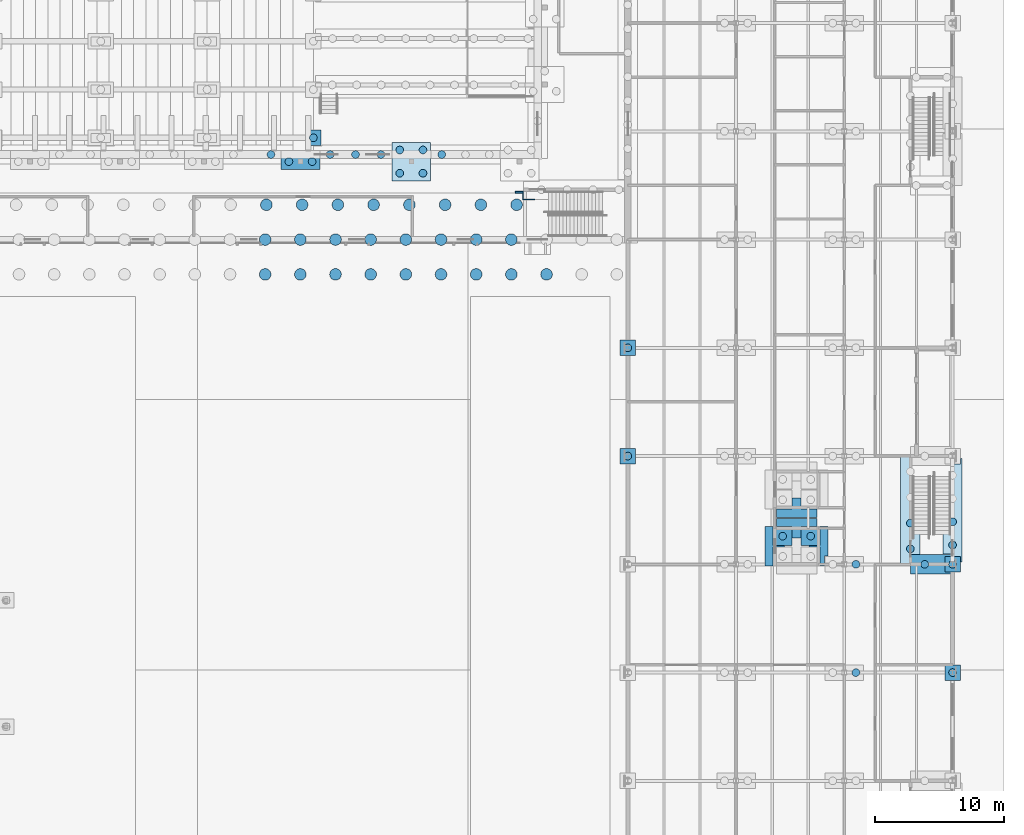
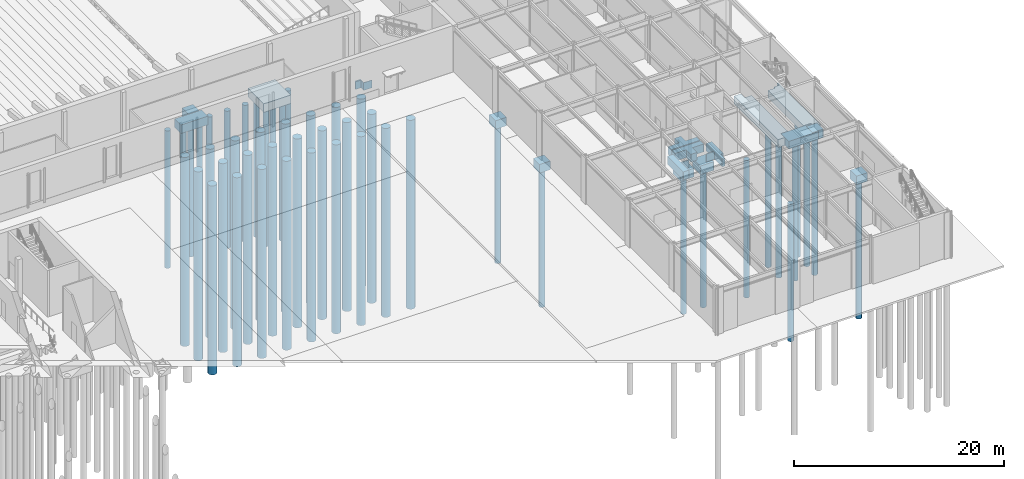
# One storey, part 7 of 127: 50 piles, 17 footings.
"""IFC4 building model written with IfcOpenShell, lengths in metres."""

from ifc_helpers import new_model, si_unit, direction, frame, origin, origin_2d, place, context, subcontext, project, spatial, polyline, circle, outline, extrude, material, layer, layer_set, material_profile, profile_set, type_object, element, save


model = new_model("IFC4")

# Units and contexts
model_context = context("Model", 3, precision=1e-05, world=origin(), true_north=direction((0.0, 1.0)))
body_context = subcontext(model_context, "Body", "Model", "MODEL_VIEW")
ifc_project = project(units=[si_unit("LENGTHUNIT", "METRE"), si_unit("AREAUNIT", "SQUARE_METRE"), si_unit("VOLUMEUNIT", "CUBIC_METRE"), si_unit("PLANEANGLEUNIT", "RADIAN"), si_unit("MASSUNIT", "GRAM", prefix="KILO")], contexts=[model_context])

# Site, building, storey
site_placement = place(None, origin())
site = spatial("IfcSite", under=ifc_project, at=site_placement, CompositionType="ELEMENT")
building_placement = place(site_placement, origin())
building = spatial("IfcBuilding", under=site, at=building_placement, Name="Ljudholm Concert House", CompositionType="ELEMENT")
storey_placement = place(building_placement, origin())
storey = spatial("IfcBuildingStorey", under=building, at=storey_placement, Name="L00", CompositionType="ELEMENT", Elevation=0.0)

# Piles
ifc_material_1 = material(Name="Concrete 5,000 psi", Category="concrete")
ifc_material_profile_1 = material_profile(ifc_material_1, circle(Radius=0.300048828125, at=origin_2d()), Name="AUGER-CAST PILE D600")
ifc_profile_set_1 = profile_set([ifc_material_profile_1], Name="Concrete 5,000 psi")
pile_type_1 = type_object("IfcPileType", Name="AUGER-CAST PILE D600", PredefinedType="BORED", material=ifc_profile_set_1)
for number, where, z_axis, x_axis, name in (
    (1, (70.10009765625, 60.449951171875, -1.300048828125), (0.0, 0.0, -1.0), (1.0, 0.0, 0.0), "Pile D600"),
    (2, (71.89990234375, 60.449951171875, -1.300048828125), (0.0, 0.0, -1.0), (1.0, 0.0, 0.0), "Pile D600"),
    (3, (72.0, 62.300048828125, -1.804931640625), (0.0, 0.0, -1.0), (1.0, 0.0, 0.0), "Pile D600"),
    (4, (78.699951171875, 59.550048828125, -1.300048828125), (0.0, 0.0, -1.0), (1.0, 0.0, 0.0), "Pile D600"),
    (5, (80.5, 59.550048828125, -1.300048828125), (0.0, 0.0, -1.0), (1.0, 0.0, 0.0), "Pile D600"),
    (6, (78.699951171875, 61.35009765625, -1.300048828125), (0.0, 0.0, -1.0), (1.0, 0.0, 0.0), "Pile D600"),
    (7, (80.5, 61.35009765625, -1.300048828125), (0.0, 0.0, -1.0), (1.0, 0.0, 0.0), "Pile D600"),
    (8, (96.39990234375, 37.60009765625, -1.25), (0.0, 0.0, -1.0), (1.0, 0.0, 0.0), "Pile D600"),
    (9, (96.39990234375, 46.0, -1.25), (0.0, 0.0, -1.0), (1.0, 0.0, 0.0), "Pile D600"),
    (10, (114.10009765625, 20.800048828125, -1.25), (0.0, 0.0, -1.0), (1.0, 0.0, 0.0), "Pile D600"),
    (11, (114.10009765625, 29.199951171875, -1.25), (0.0, 0.0, -1.0), (1.0, 0.0, 0.0), "Pile D600"),
    (12, (121.60009765625, 20.800048828125, -1.25), (0.0, 0.0, -1.0), (1.0, 0.0, 0.0), "Pile D600"),
    (13, (121.60009765625, 29.199951171875, -1.25), (0.0, 0.0, -1.0), (1.0, 0.0, 0.0), "Pile D600"),
    (14, (108.41259765625, 31.387451171875, -2.5), (0.0, 0.0, -1.0), (1.0, 0.0, 0.0), "Pile D600"),
    (15, (110.58740234375, 31.387451171875, -2.5), (0.0, 0.0, -1.0), (1.0, 0.0, 0.0), "Pile D600"),
    (16, (119.4375, 29.199951171875, -1.14990234375), (0.0, 0.0, -1.0), (1.0, 0.0, 0.0), "Pile D600"),
    (17, (68.704833984375, 61.0, -1.199951171875), (0.0, 0.0, -1.0), (1.0, 0.0, 0.0), "Pile D600"),
    (18, (73.295166015625, 61.0, -1.199951171875), (0.0, 0.0, -1.0), (1.0, 0.0, 0.0), "Pile D600"),
    (19, (75.268310546875, 61.0, -1.199951171875), (0.0, 0.0, -1.0), (1.0, 0.0, 0.0), "Pile D600"),
    (20, (77.24169921875, 61.0, -1.199951171875), (0.0, 0.0, -1.0), (1.0, 0.0, 0.0), "Pile D600"),
    (21, (81.958251953125, 61.0, -1.199951171875), (0.0, 0.0, -1.0), (1.0, 0.0, 0.0), "Pile D600"),
    (22, (118.324951171875, 30.39990234375, -1.14990234375), (0.0, 0.0, -1.0), (1.0, 0.0, 0.0), "Pile D600"),
    (23, (118.324951171875, 32.39990234375, -1.14990234375), (0.0, 0.0, -1.0), (1.0, 0.0, 0.0), "Pile D600"),
    (24, (121.60009765625, 30.699951171875, -1.14990234375), (0.0, 0.0, -1.0), (1.0, 0.0, 0.0), "Pile D600"),
    (25, (121.60009765625, 32.5, -1.14990234375), (0.0, 0.0, -1.0), (1.0, 0.0, 0.0), "Pile D600"),
):
    element("IfcPile", number, at=place(storey_placement, frame(where, z_axis=z_axis, x_axis=x_axis)), inside=storey, type_object=pile_type_1, Name=name, PredefinedType="BORED", context=body_context, shape_type="SweptSolid", body=[
        extrude(circle(Radius=0.300048828125, at=origin_2d()), origin(), (0.0, 0.0, 1.0), 16.0),
    ])
ifc_material_2 = material(Name="Concrete 5,000 psi", Category="concrete")
ifc_material_profile_2 = material_profile(ifc_material_2, circle(Radius=0.449951171875, at=origin_2d()), Name="AUGER-CAST PILE D900")
ifc_profile_set_2 = profile_set([ifc_material_profile_2], Name="Concrete 5,000 psi")
pile_type_2 = type_object("IfcPileType", Name="AUGER-CAST PILE D900", PredefinedType="BORED", material=ifc_profile_set_2)
for number, where, z_axis, x_axis, name in (
    (26, (68.25830078125, 51.699951171875, -1.699951171875), (0.0, 0.0, -1.0), (1.0, 0.0, 0.0), "Pile D900"),
    (27, (70.987548828125, 51.699951171875, -1.699951171875), (0.0, 0.0, -1.0), (1.0, 0.0, 0.0), "Pile D900"),
    (28, (73.716552734375, 51.699951171875, -1.699951171875), (0.0, 0.0, -1.0), (1.0, 0.0, 0.0), "Pile D900"),
    (29, (76.44580078125, 51.699951171875, -1.699951171875), (0.0, 0.0, -1.0), (1.0, 0.0, 0.0), "Pile D900"),
    (30, (79.175048828125, 51.699951171875, -1.699951171875), (0.0, 0.0, -1.0), (1.0, 0.0, 0.0), "Pile D900"),
    (31, (81.904052734375, 51.699951171875, -1.699951171875), (0.0, 0.0, -1.0), (1.0, 0.0, 0.0), "Pile D900"),
    (32, (84.63330078125, 51.699951171875, -1.699951171875), (0.0, 0.0, -1.0), (1.0, 0.0, 0.0), "Pile D900"),
    (33, (87.362548828125, 51.699951171875, -1.699951171875), (0.0, 0.0, -1.0), (1.0, 0.0, 0.0), "Pile D900"),
    (34, (90.091552734375, 51.699951171875, -1.699951171875), (0.0, 0.0, -1.0), (1.0, 0.0, 0.0), "Pile D900"),
    (35, (68.25830078125, 54.39990234375, -1.699951171875), (0.0, 0.0, -1.0), (1.0, 0.0, 0.0), "Pile D900"),
    (36, (70.987548828125, 54.39990234375, -1.699951171875), (0.0, 0.0, -1.0), (1.0, 0.0, 0.0), "Pile D900"),
    (37, (73.716552734375, 54.39990234375, -1.699951171875), (0.0, 0.0, -1.0), (1.0, 0.0, 0.0), "Pile D900"),
    (38, (76.44580078125, 54.39990234375, -1.699951171875), (0.0, 0.0, -1.0), (1.0, 0.0, 0.0), "Pile D900"),
    (39, (79.175048828125, 54.39990234375, -1.699951171875), (0.0, 0.0, -1.0), (1.0, 0.0, 0.0), "Pile D900"),
    (40, (81.904052734375, 54.39990234375, -1.699951171875), (0.0, 0.0, -1.0), (1.0, 0.0, 0.0), "Pile D900"),
    (41, (84.63330078125, 54.39990234375, -1.699951171875), (0.0, 0.0, -1.0), (1.0, 0.0, 0.0), "Pile D900"),
    (42, (87.362548828125, 54.39990234375, -1.699951171875), (0.0, 0.0, -1.0), (1.0, 0.0, 0.0), "Pile D900"),
    (43, (68.34912109375, 57.10009765625, -1.699951171875), (0.0, 0.0, -1.0), (1.0, 0.0, 0.0), "Pile D900"),
    (44, (71.123779296875, 57.10009765625, -1.699951171875), (0.0, 0.0, -1.0), (1.0, 0.0, 0.0), "Pile D900"),
    (45, (73.898193359375, 57.10009765625, -1.699951171875), (0.0, 0.0, -1.0), (1.0, 0.0, 0.0), "Pile D900"),
    (46, (76.6728515625, 57.10009765625, -1.699951171875), (0.0, 0.0, -1.0), (1.0, 0.0, 0.0), "Pile D900"),
    (47, (79.447509765625, 57.10009765625, -1.699951171875), (0.0, 0.0, -1.0), (1.0, 0.0, 0.0), "Pile D900"),
    (48, (82.221923828125, 57.10009765625, -1.699951171875), (0.0, 0.0, -1.0), (1.0, 0.0, 0.0), "Pile D900"),
    (49, (84.99658203125, 57.10009765625, -1.699951171875), (0.0, 0.0, -1.0), (1.0, 0.0, 0.0), "Pile D900"),
    (50, (87.771240234375, 57.10009765625, -1.699951171875), (0.0, 0.0, -1.0), (1.0, 0.0, 0.0), "Pile D900"),
):
    element("IfcPile", number, at=place(storey_placement, frame(where, z_axis=z_axis, x_axis=x_axis)), inside=storey, type_object=pile_type_2, Name=name, PredefinedType="BORED", context=body_context, shape_type="SweptSolid", body=[
        extrude(circle(Radius=0.449951171875, at=origin_2d()), origin(), (0.0, 0.0, 1.0), 22.0),
    ])

# Footings
ifc_material_3 = material(Name="Concrete 5,000 psi", Category="concrete")
ifc_layer_1 = layer(ifc_material_3, 1.0)
ifc_layer_set_1 = layer_set([ifc_layer_1], Name="Concrete 5,000 psi")
footing_type_1 = type_object("IfcFootingType", Name="RC PILE CAP 1200x1200x1000", PredefinedType="PILE_CAP", material=ifc_layer_set_1)
footing_1_placement = place(storey_placement, frame((0.0, 0.0, -1.804931640625)))
element("IfcFooting", 51, at=footing_1_placement, inside=storey, type_object=footing_type_1, Name="Pile cap", PredefinedType="PILE_CAP", context=body_context, shape_type="SweptSolid", body=[
    extrude(outline(polyline([(71.409912109375, 61.699951171875), (72.590087890625, 61.699951171875), (72.59375, 61.70068359375), (72.59716796875, 61.702880859375), (72.59912109375, 61.7060546875), (72.60009765625, 61.7099609375), (72.60009765625, 62.889892578125), (72.59912109375, 62.893798828125), (72.59716796875, 62.89697265625), (72.59375, 62.899169921875), (72.590087890625, 62.89990234375), (71.409912109375, 62.89990234375), (71.40625, 62.899169921875), (71.40283203125, 62.89697265625), (71.40087890625, 62.893798828125), (71.39990234375, 62.889892578125), (71.39990234375, 61.7099609375), (71.40087890625, 61.7060546875), (71.40283203125, 61.702880859375), (71.40625, 61.70068359375), (71.409912109375, 61.699951171875)])), origin(), (0.0, 0.0, 1.0), 1.0),
])
footing_2_placement = place(storey_placement, frame((0.0, 0.0, -1.25)))
element("IfcFooting", 52, at=footing_2_placement, inside=storey, type_object=footing_type_1, Name="Pile cap", PredefinedType="PILE_CAP", context=body_context, shape_type="SweptSolid", body=[
    extrude(outline(polyline([(95.81005859375, 37.0), (96.989990234375, 37.0), (96.993896484375, 37.000732421875), (96.9970703125, 37.0029296875), (96.999267578125, 37.006103515625), (97.0, 37.010009765625), (97.0, 38.18994140625), (96.999267578125, 38.19384765625), (96.9970703125, 38.197021484375), (96.993896484375, 38.19921875), (96.989990234375, 38.199951171875), (95.81005859375, 38.199951171875), (95.80615234375, 38.19921875), (95.802978515625, 38.197021484375), (95.80078125, 38.19384765625), (95.800048828125, 38.18994140625), (95.800048828125, 37.010009765625), (95.80078125, 37.006103515625), (95.802978515625, 37.0029296875), (95.80615234375, 37.000732421875), (95.81005859375, 37.0)])), origin(), (0.0, 0.0, 1.0), 1.0),
])
footing_3_placement = place(storey_placement, frame((0.0, 0.0, -1.25)))
element("IfcFooting", 53, at=footing_3_placement, inside=storey, type_object=footing_type_1, Name="Pile cap", PredefinedType="PILE_CAP", context=body_context, shape_type="SweptSolid", body=[
    extrude(outline(polyline([(95.81005859375, 45.39990234375), (96.989990234375, 45.39990234375), (96.993896484375, 45.40087890625), (96.9970703125, 45.40283203125), (96.999267578125, 45.40625), (97.0, 45.409912109375), (97.0, 46.590087890625), (96.999267578125, 46.59375), (96.9970703125, 46.59716796875), (96.993896484375, 46.59912109375), (96.989990234375, 46.60009765625), (95.81005859375, 46.60009765625), (95.80615234375, 46.59912109375), (95.802978515625, 46.59716796875), (95.80078125, 46.59375), (95.800048828125, 46.590087890625), (95.800048828125, 45.409912109375), (95.80078125, 45.40625), (95.802978515625, 45.40283203125), (95.80615234375, 45.40087890625), (95.81005859375, 45.39990234375)])), origin(), (0.0, 0.0, 1.0), 1.0),
])
footing_4_placement = place(storey_placement, frame((0.0, 0.0, -1.25)))
element("IfcFooting", 54, at=footing_4_placement, inside=storey, type_object=footing_type_1, Name="Pile cap", PredefinedType="PILE_CAP", context=body_context, shape_type="SweptSolid", body=[
    extrude(outline(polyline([(121.0, 21.389892578125), (121.0, 20.2099609375), (121.000732421875, 20.2060546875), (121.0029296875, 20.202880859375), (121.006103515625, 20.20068359375), (121.010009765625, 20.199951171875), (122.18994140625, 20.199951171875), (122.19384765625, 20.20068359375), (122.197021484375, 20.202880859375), (122.19921875, 20.2060546875), (122.199951171875, 20.2099609375), (122.199951171875, 21.389892578125), (122.19921875, 21.393798828125), (122.197021484375, 21.39697265625), (122.19384765625, 21.399169921875), (122.18994140625, 21.39990234375), (121.010009765625, 21.39990234375), (121.006103515625, 21.399169921875), (121.0029296875, 21.39697265625), (121.000732421875, 21.393798828125), (121.0, 21.389892578125)])), origin(), (0.0, 0.0, 1.0), 1.0),
])
footing_5_placement = place(storey_placement, frame((0.0, 0.0, -1.25)))
element("IfcFooting", 55, at=footing_5_placement, inside=storey, type_object=footing_type_1, Name="Pile cap", PredefinedType="PILE_CAP", context=body_context, shape_type="SweptSolid", body=[
    extrude(outline(polyline([(121.010009765625, 28.60009765625), (122.18994140625, 28.60009765625), (122.19384765625, 28.600830078125), (122.197021484375, 28.60302734375), (122.19921875, 28.606201171875), (122.199951171875, 28.610107421875), (122.199951171875, 29.7900390625), (122.19921875, 29.7939453125), (122.197021484375, 29.797119140625), (122.19384765625, 29.79931640625), (122.18994140625, 29.800048828125), (121.010009765625, 29.800048828125), (121.006103515625, 29.79931640625), (121.0029296875, 29.797119140625), (121.000732421875, 29.7939453125), (121.0, 29.7900390625), (121.0, 28.610107421875), (121.000732421875, 28.606201171875), (121.0029296875, 28.60302734375), (121.006103515625, 28.600830078125), (121.010009765625, 28.60009765625)])), origin(), (0.0, 0.0, 1.0), 1.0),
])
ifc_material_4 = material(Name="Concrete 5,000 psi", Category="concrete")
ifc_layer_2 = layer(ifc_material_4, 1.0)
ifc_layer_set_2 = layer_set([ifc_layer_2], Name="Concrete 5,000 psi")
footing_type_2 = type_object("IfcFootingType", Name="RC PILE CAP 1500x1500x1000", PredefinedType="PILE_CAP", material=ifc_layer_set_2)
footing_6_placement = place(storey_placement, frame((0.0, 0.0, -2.5)))
element("IfcFooting", 56, at=footing_6_placement, inside=storey, type_object=footing_type_2, Name="Pile cap", PredefinedType="PILE_CAP", context=body_context, shape_type="SweptSolid", body=[
    extrude(outline(polyline([(107.68505859375, 30.64990234375), (109.139892578125, 30.64990234375), (109.143798828125, 30.65087890625), (109.14697265625, 30.65283203125), (109.149169921875, 30.65625), (109.14990234375, 30.659912109375), (109.14990234375, 32.114990234375), (109.149169921875, 32.118896484375), (109.14697265625, 32.1220703125), (109.143798828125, 32.124267578125), (109.139892578125, 32.125), (107.68505859375, 32.125), (107.68115234375, 32.124267578125), (107.677978515625, 32.1220703125), (107.67578125, 32.118896484375), (107.675048828125, 32.114990234375), (107.675048828125, 30.659912109375), (107.67578125, 30.65625), (107.677978515625, 30.65283203125), (107.68115234375, 30.65087890625), (107.68505859375, 30.64990234375)])), origin(), (0.0, 0.0, 1.0), 1.0),
])
footing_7_placement = place(storey_placement, frame((0.0, 0.0, -2.5)))
element("IfcFooting", 57, at=footing_7_placement, inside=storey, type_object=footing_type_2, Name="Pile cap", PredefinedType="PILE_CAP", context=body_context, shape_type="SweptSolid", body=[
    extrude(outline(polyline([(109.860107421875, 30.64990234375), (111.31494140625, 30.64990234375), (111.31884765625, 30.65087890625), (111.322021484375, 30.65283203125), (111.32421875, 30.65625), (111.324951171875, 30.659912109375), (111.324951171875, 32.114990234375), (111.32421875, 32.118896484375), (111.322021484375, 32.1220703125), (111.31884765625, 32.124267578125), (111.31494140625, 32.125), (109.860107421875, 32.125), (109.856201171875, 32.124267578125), (109.85302734375, 32.1220703125), (109.850830078125, 32.118896484375), (109.85009765625, 32.114990234375), (109.85009765625, 30.659912109375), (109.850830078125, 30.65625), (109.85302734375, 30.65283203125), (109.856201171875, 30.65087890625), (109.860107421875, 30.64990234375)])), origin(), (0.0, 0.0, 1.0), 1.0),
])
ifc_material_5 = material(Name="Concrete 5,000 psi", Category="concrete")
ifc_layer_3 = layer(ifc_material_5, 1.0)
ifc_layer_set_3 = layer_set([ifc_layer_3], Name="Concrete 5,000 psi")
footing_type_3 = type_object("IfcFootingType", Name="RC PILE CAP 3000x1200x1000", PredefinedType="PILE_CAP", material=ifc_layer_set_3)
footing_8_placement = place(storey_placement, frame((0.0, 0.0, -1.300048828125)))
element("IfcFooting", 58, at=footing_8_placement, inside=storey, type_object=footing_type_3, Name="Pile cap", PredefinedType="PILE_CAP", context=body_context, shape_type="SweptSolid", body=[
    extrude(outline(polyline([(69.5, 61.0400390625), (69.5, 59.860107421875), (69.501708984375, 59.8544921875), (69.506103515625, 59.850830078125), (69.510009765625, 59.85009765625), (72.489990234375, 59.85009765625), (72.49560546875, 59.851806640625), (72.499267578125, 59.856201171875), (72.5, 59.860107421875), (72.5, 61.0400390625), (72.498291015625, 61.045654296875), (72.493896484375, 61.04931640625), (72.489990234375, 61.050048828125), (69.510009765625, 61.050048828125), (69.506103515625, 61.04931640625), (69.5029296875, 61.047119140625), (69.500732421875, 61.0439453125), (69.5, 61.0400390625)])), origin(), (0.0, 0.0, 1.0), 1.0),
])
ifc_material_6 = material(Name="Concrete 5,000 psi", Category="concrete")
ifc_layer_4 = layer(ifc_material_6, 1.0)
ifc_layer_set_4 = layer_set([ifc_layer_4], Name="Concrete 5,000 psi")
footing_type_4 = type_object("IfcFootingType", Name="RC PILE CAP 3000x3000x1000", PredefinedType="PILE_CAP", material=ifc_layer_set_4)
footing_9_placement = place(storey_placement, frame((0.0, 0.0, -1.300048828125)))
element("IfcFooting", 59, at=footing_9_placement, inside=storey, type_object=footing_type_4, Name="Pile cap", PredefinedType="PILE_CAP", context=body_context, shape_type="SweptSolid", body=[
    extrude(outline(polyline([(78.110107421875, 58.949951171875), (81.090087890625, 58.949951171875), (81.09375, 58.95068359375), (81.09716796875, 58.952880859375), (81.09912109375, 58.9560546875), (81.10009765625, 58.9599609375), (81.10009765625, 61.93994140625), (81.09912109375, 61.94384765625), (81.09716796875, 61.947021484375), (81.09375, 61.94921875), (81.090087890625, 61.949951171875), (78.110107421875, 61.949951171875), (78.106201171875, 61.94921875), (78.10302734375, 61.947021484375), (78.100830078125, 61.94384765625), (78.10009765625, 61.93994140625), (78.10009765625, 58.9599609375), (78.100830078125, 58.9560546875), (78.10302734375, 58.952880859375), (78.106201171875, 58.95068359375), (78.110107421875, 58.949951171875)])), origin(), (0.0, 0.0, 1.0), 1.0),
])
ifc_material_7 = material(Name="Concrete 5,000 psi", Category="concrete")
ifc_layer_5 = layer(ifc_material_7, 0.89990234375)
ifc_layer_set_5 = layer_set([ifc_layer_5], Name="Concrete 5,000 psi")
footing_type_5 = type_object("IfcFootingType", Name="RC STRIP FOOTING 1500x900", PredefinedType="STRIP_FOOTING", material=ifc_layer_set_5)
footing_10_placement = place(storey_placement, frame((0.0, 0.0, -1.14990234375)))
element("IfcFooting", 60, at=footing_10_placement, inside=storey, type_object=footing_type_5, Name="Strip footing", PredefinedType="STRIP_FOOTING", context=body_context, shape_type="SweptSolid", body=[
    extrude(outline(polyline([(118.3349609375, 28.449951171875), (121.581787109375, 28.449951171875), (121.585693359375, 28.45068359375), (121.590087890625, 28.454345703125), (121.591796875, 28.4599609375), (121.591796875, 28.590087890625), (121.590087890625, 28.595458984375), (121.58740234375, 28.598388671875), (121.584716796875, 28.599609375), (121.01025390625, 28.60009765625), (121.00439453125, 28.601806640625), (121.000732421875, 28.606201171875), (121.0, 28.6103515625), (121.0, 29.789794921875), (121.000732421875, 29.793701171875), (121.0029296875, 29.797119140625), (121.006103515625, 29.79931640625), (121.01025390625, 29.800048828125), (121.584716796875, 29.800537109375), (121.58740234375, 29.8017578125), (121.590087890625, 29.804443359375), (121.591796875, 29.81005859375), (121.591796875, 29.93994140625), (121.591064453125, 29.94384765625), (121.58740234375, 29.9482421875), (121.581787109375, 29.949951171875), (118.3349609375, 29.949951171875), (118.3310546875, 29.94921875), (118.32666015625, 29.945556640625), (118.324951171875, 29.93994140625), (118.324951171875, 28.4599609375), (118.32568359375, 28.4560546875), (118.327880859375, 28.452880859375), (118.3310546875, 28.45068359375), (118.3349609375, 28.449951171875)])), origin(), (0.0, 0.0, 1.0), 0.89990234375),
])
footing_11_placement = place(storey_placement, frame((0.0, 0.0, -1.14990234375)))
element("IfcFooting", 61, at=footing_11_placement, inside=storey, type_object=footing_type_5, Name="Strip footing", PredefinedType="STRIP_FOOTING", context=body_context, shape_type="SweptSolid", body=[
    extrude(outline(polyline([(107.93505859375, 32.125), (109.1396484375, 32.125), (109.143798828125, 32.124267578125), (109.148193359375, 32.12060546875), (109.14990234375, 32.11474609375), (109.14990234375, 31.260009765625), (109.15087890625, 31.256103515625), (109.15234375, 31.253662109375), (109.1552734375, 31.251220703125), (109.159912109375, 31.25), (109.842041015625, 31.250244140625), (109.845458984375, 31.251708984375), (109.84765625, 31.253662109375), (109.84912109375, 31.256103515625), (109.85009765625, 31.260009765625), (109.85009765625, 32.11474609375), (109.850341796875, 32.117919921875), (109.852294921875, 32.121337890625), (109.856201171875, 32.124267578125), (109.8603515625, 32.125), (111.06494140625, 32.125), (111.06982421875, 32.126220703125), (111.07373046875, 32.13037109375), (111.074951171875, 32.135009765625), (111.07470703125, 32.741943359375), (111.07373046875, 32.74462890625), (111.0712890625, 32.747802734375), (111.06787109375, 32.74951171875), (111.06494140625, 32.75), (107.93310546875, 32.749755859375), (107.929443359375, 32.748291015625), (107.92724609375, 32.746337890625), (107.92578125, 32.743896484375), (107.925048828125, 32.739990234375), (107.925048828125, 32.135009765625), (107.92578125, 32.131103515625), (107.927978515625, 32.1279296875), (107.93115234375, 32.125732421875), (107.93505859375, 32.125)])), origin(), (0.0, 0.0, 1.0), 0.89990234375),
])
footing_12_placement = place(storey_placement, frame((0.0, 0.0, -1.14990234375)))
element("IfcFooting", 62, at=footing_12_placement, inside=storey, type_object=footing_type_5, Name="Strip footing", PredefinedType="STRIP_FOOTING", context=body_context, shape_type="SweptSolid", body=[
    extrude(outline(polyline([(107.93505859375, 32.85009765625), (111.06689453125, 32.85009765625), (111.070556640625, 32.851806640625), (111.07275390625, 32.853759765625), (111.07421875, 32.856201171875), (111.074951171875, 32.860107421875), (111.07470703125, 33.467041015625), (111.07373046875, 33.4697265625), (111.0712890625, 33.47265625), (111.06787109375, 33.474609375), (111.06494140625, 33.47509765625), (109.8603515625, 33.47509765625), (109.856201171875, 33.475830078125), (109.851806640625, 33.4794921875), (109.85009765625, 33.4853515625), (109.85009765625, 34.340087890625), (109.84912109375, 34.34375), (109.84765625, 34.346435546875), (109.8447265625, 34.348876953125), (109.840087890625, 34.35009765625), (109.157958984375, 34.349853515625), (109.154541015625, 34.348388671875), (109.15234375, 34.346435546875), (109.15087890625, 34.34375), (109.14990234375, 34.340087890625), (109.14990234375, 33.4853515625), (109.149658203125, 33.482177734375), (109.147705078125, 33.478759765625), (109.143798828125, 33.475830078125), (109.1396484375, 33.47509765625), (107.93505859375, 33.47509765625), (107.93017578125, 33.473876953125), (107.92626953125, 33.4697265625), (107.925048828125, 33.465087890625), (107.925048828125, 32.860107421875), (107.92578125, 32.856201171875), (107.927978515625, 32.85302734375), (107.93115234375, 32.850830078125), (107.93505859375, 32.85009765625)])), origin(), (0.0, 0.0, 1.0), 0.89990234375),
])
footing_13_placement = place(storey_placement, frame((0.0, 0.0, -1.14990234375)))
element("IfcFooting", 63, at=footing_13_placement, inside=storey, type_object=footing_type_5, Name="Strip footing", PredefinedType="STRIP_FOOTING", context=body_context, shape_type="SweptSolid", body=[
    extrude(outline(polyline([(117.5849609375, 29.199951171875), (118.31494140625, 29.199951171875), (118.31982421875, 29.201171875), (118.32373046875, 29.205322265625), (118.324951171875, 29.2099609375), (118.324951171875, 29.939697265625), (118.32568359375, 29.94384765625), (118.327880859375, 29.947021484375), (118.331298828125, 29.94921875), (118.335205078125, 29.949951171875), (119.06494140625, 29.949951171875), (119.06884765625, 29.95068359375), (119.072021484375, 29.952880859375), (119.07421875, 29.9560546875), (119.074951171875, 29.958984375), (119.074951171875, 36.841064453125), (119.07421875, 36.84375), (119.072021484375, 36.84716796875), (119.06884765625, 36.84912109375), (119.06494140625, 36.85009765625), (118.335205078125, 36.85009765625), (118.331298828125, 36.850830078125), (118.327880859375, 36.85302734375), (118.32568359375, 36.856201171875), (118.324951171875, 36.8603515625), (118.324951171875, 37.590087890625), (118.32421875, 37.59375), (118.322021484375, 37.59716796875), (118.31982421875, 37.598876953125), (118.31591796875, 37.599853515625), (117.5849609375, 37.60009765625), (117.5810546875, 37.59912109375), (117.577880859375, 37.59716796875), (117.57568359375, 37.59375), (117.574951171875, 37.591064453125), (117.574951171875, 29.2099609375), (117.57568359375, 29.2060546875), (117.577880859375, 29.202880859375), (117.5810546875, 29.20068359375), (117.5849609375, 29.199951171875)])), origin(), (0.0, 0.0, 1.0), 0.89990234375),
])
footing_14_placement = place(storey_placement, frame((0.0, 0.0, -1.14990234375)))
element("IfcFooting", 64, at=footing_14_placement, inside=storey, type_object=footing_type_5, Name="Strip footing", PredefinedType="STRIP_FOOTING", context=body_context, shape_type="SweptSolid", body=[
    extrude(outline(polyline([(120.860107421875, 30.0), (121.6337890625, 29.999755859375), (121.636474609375, 29.998779296875), (121.6396484375, 29.996337890625), (121.641845703125, 29.990966796875), (121.641845703125, 29.81005859375), (121.6435546875, 29.804443359375), (121.64794921875, 29.80078125), (121.65185546875, 29.800048828125), (122.189697265625, 29.800048828125), (122.19384765625, 29.79931640625), (122.1982421875, 29.795654296875), (122.199951171875, 29.789794921875), (122.199951171875, 29.396728515625), (122.20068359375, 29.392822265625), (122.204345703125, 29.388427734375), (122.2099609375, 29.38671875), (122.340087890625, 29.38671875), (122.345458984375, 29.388427734375), (122.34912109375, 29.392822265625), (122.35009765625, 29.396728515625), (122.35009765625, 37.4033203125), (122.34912109375, 37.4072265625), (122.34765625, 37.40966796875), (122.345458984375, 37.41162109375), (122.342041015625, 37.4130859375), (122.2099609375, 37.413330078125), (122.204345703125, 37.41162109375), (122.20068359375, 37.4072265625), (122.199951171875, 37.4033203125), (122.199951171875, 37.01025390625), (122.1982421875, 37.00439453125), (122.19384765625, 37.000732421875), (122.189697265625, 37.0), (121.65185546875, 37.0), (121.64794921875, 36.999267578125), (121.6435546875, 36.99560546875), (121.641845703125, 36.989990234375), (121.641845703125, 36.80908203125), (121.64111328125, 36.80615234375), (121.638916015625, 36.802978515625), (121.6337890625, 36.80029296875), (120.860107421875, 36.800048828125), (120.857177734375, 36.799560546875), (120.853759765625, 36.7978515625), (120.85107421875, 36.794677734375), (120.85009765625, 36.7919921875), (120.85009765625, 30.010009765625), (120.850830078125, 30.006103515625), (120.85302734375, 30.0029296875), (120.856201171875, 30.000732421875), (120.860107421875, 30.0)])), origin(), (0.0, 0.0, 1.0), 0.89990234375),
])
footing_15_placement = place(storey_placement, frame((0.0, 0.0, -1.14990234375)))
element("IfcFooting", 65, at=footing_15_placement, inside=storey, type_object=footing_type_5, Name="Strip footing", PredefinedType="STRIP_FOOTING", context=body_context, shape_type="SweptSolid", body=[
    extrude(outline(polyline([(110.449951171875, 30.639892578125), (110.449951171875, 30.55908203125), (110.45068359375, 30.55615234375), (110.452880859375, 30.552978515625), (110.455322265625, 30.55126953125), (110.458984375, 30.550048828125), (111.314697265625, 30.550048828125), (111.31884765625, 30.54931640625), (111.32275390625, 30.54638671875), (111.324462890625, 30.54296875), (111.324951171875, 30.539794921875), (111.3251953125, 29.0830078125), (111.326171875, 29.080322265625), (111.32861328125, 29.0771484375), (111.3310546875, 29.07568359375), (111.3349609375, 29.074951171875), (111.639892578125, 29.074951171875), (111.643798828125, 29.07568359375), (111.646240234375, 29.0771484375), (111.64892578125, 29.080322265625), (111.64990234375, 29.0849609375), (111.64990234375, 29.83984375), (111.65087890625, 29.84375), (111.654541015625, 29.848388671875), (111.66015625, 29.85009765625), (111.94091796875, 29.85009765625), (111.94482421875, 29.85107421875), (111.947021484375, 29.85302734375), (111.94921875, 29.856201171875), (111.949951171875, 29.859130859375), (111.949951171875, 32.114990234375), (111.94921875, 32.118896484375), (111.947021484375, 32.1220703125), (111.94384765625, 32.124267578125), (111.93994140625, 32.125), (111.3349609375, 32.125), (111.329345703125, 32.123291015625), (111.32568359375, 32.118896484375), (111.324951171875, 32.114990234375), (111.324951171875, 30.66015625), (111.32421875, 30.65625), (111.322021484375, 30.65283203125), (111.31884765625, 30.65087890625), (111.314697265625, 30.64990234375), (110.4599609375, 30.64990234375), (110.4560546875, 30.649169921875), (110.452880859375, 30.64697265625), (110.45068359375, 30.643798828125), (110.449951171875, 30.639892578125)])), origin(), (0.0, 0.0, 1.0), 0.89990234375),
])
footing_16_placement = place(storey_placement, frame((0.0, 0.0, -1.14990234375)))
element("IfcFooting", 66, at=footing_16_placement, inside=storey, type_object=footing_type_5, Name="Strip footing", PredefinedType="STRIP_FOOTING", context=body_context, shape_type="SweptSolid", body=[
    extrude(outline(polyline([(107.06005859375, 29.074951171875), (107.6650390625, 29.074951171875), (107.670654296875, 29.07666015625), (107.67431640625, 29.0810546875), (107.675048828125, 29.0849609375), (107.675048828125, 30.539794921875), (107.67578125, 30.543701171875), (107.677978515625, 30.547119140625), (107.68115234375, 30.54931640625), (107.685302734375, 30.550048828125), (108.5400390625, 30.550048828125), (108.5439453125, 30.55078125), (108.54638671875, 30.55224609375), (108.548828125, 30.55517578125), (108.5498046875, 30.55810546875), (108.550048828125, 30.640869140625), (108.54931640625, 30.643798828125), (108.547119140625, 30.64697265625), (108.544677734375, 30.64892578125), (108.541015625, 30.64990234375), (107.685302734375, 30.64990234375), (107.68017578125, 30.651123046875), (107.67626953125, 30.6552734375), (107.675048828125, 30.66015625), (107.675048828125, 32.114990234375), (107.67431640625, 32.118896484375), (107.6728515625, 32.121337890625), (107.670654296875, 32.123291015625), (107.6669921875, 32.124755859375), (107.06005859375, 32.125), (107.05712890625, 32.12451171875), (107.0537109375, 32.122802734375), (107.05126953125, 32.11962890625), (107.05029296875, 32.116943359375), (107.050048828125, 29.0849609375), (107.05078125, 29.0810546875), (107.052978515625, 29.077880859375), (107.05615234375, 29.07568359375), (107.06005859375, 29.074951171875)])), origin(), (0.0, 0.0, 1.0), 0.89990234375),
])
ifc_material_8 = material(Name="Concrete 5,000 psi", Category="concrete")
ifc_layer_6 = layer(ifc_material_8, 0.89990234375)
ifc_layer_set_6 = layer_set([ifc_layer_6], Name="Concrete 5,000 psi")
footing_type_6 = type_object("IfcFootingType", Name="RC STRIP FOOTING 600x900", PredefinedType="STRIP_FOOTING", material=ifc_layer_set_6)
footing_17_placement = place(storey_placement, frame((0.0, 0.0, -1.39990234375)))
element("IfcFooting", 67, at=footing_17_placement, inside=storey, type_object=footing_type_6, Name="Strip footing", PredefinedType="STRIP_FOOTING", context=body_context, shape_type="SweptSolid", body=[
    extrude(outline(polyline([(87.675048828125, 58.139892578125), (87.675048828125, 58.009033203125), (87.67724609375, 58.003662109375), (87.68212890625, 58.00048828125), (88.23974609375, 58.0), (88.243896484375, 57.999267578125), (88.247802734375, 57.996337890625), (88.24951171875, 57.992919921875), (88.25, 57.98974609375), (88.25, 57.485107421875), (88.251708984375, 57.4794921875), (88.256103515625, 57.475830078125), (88.260009765625, 57.47509765625), (89.1650390625, 57.47509765625), (89.170654296875, 57.476806640625), (89.17431640625, 57.481201171875), (89.175048828125, 57.485107421875), (89.1748046875, 57.516845703125), (89.172119140625, 57.52197265625), (89.169677734375, 57.52392578125), (89.166015625, 57.52490234375), (88.310302734375, 57.52490234375), (88.30615234375, 57.52587890625), (88.3017578125, 57.529541015625), (88.300048828125, 57.53515625), (88.300048828125, 58.139892578125), (88.29931640625, 58.143798828125), (88.297119140625, 58.14697265625), (88.2939453125, 58.149169921875), (88.2900390625, 58.14990234375), (87.68505859375, 58.14990234375), (87.68115234375, 58.149169921875), (87.677978515625, 58.14697265625), (87.67578125, 58.143798828125), (87.675048828125, 58.139892578125)])), origin(), (0.0, 0.0, 1.0), 0.89990234375),
])

save(model, "model.ifc")
